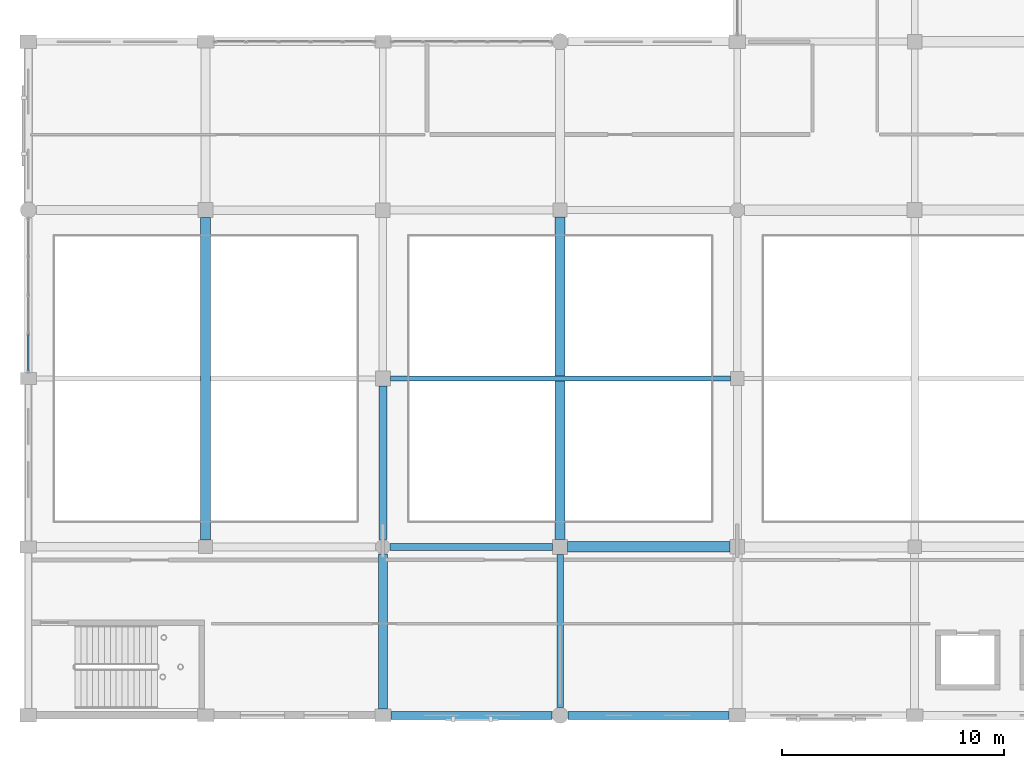
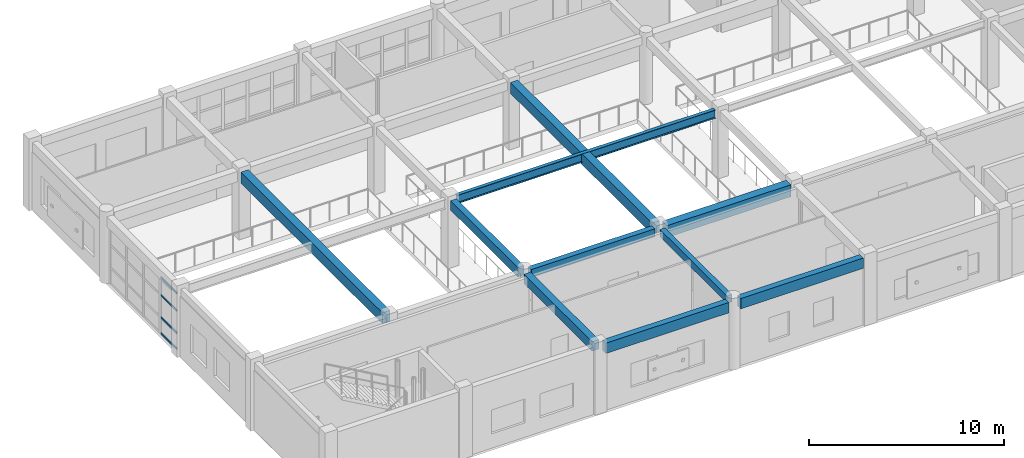
# One storey, part 39 of 160: 10 beams, 4 members, 1 element without a shape of its own.
"""IFC4 building model written with IfcOpenShell, lengths in metres."""

from ifc_helpers import new_model, si_unit, direction, frame, origin, origin_2d, place, context, subcontext, project, spatial, rectangle, hollow_rectangle, i_section, extrude, material, material_profile, profile_set, type_object, element, aggregate, save


model = new_model("IFC4")

# Units and contexts
model_context = context("Model", 3, precision=1e-05, world=origin(), true_north=direction((0.0, 1.0)))
body_context = subcontext(model_context, "Body", "Model", "MODEL_VIEW")
ifc_project = project(units=[si_unit("LENGTHUNIT", "METRE"), si_unit("AREAUNIT", "SQUARE_METRE"), si_unit("VOLUMEUNIT", "CUBIC_METRE"), si_unit("PLANEANGLEUNIT", "RADIAN"), si_unit("MASSUNIT", "GRAM", prefix="KILO")], contexts=[model_context])

# Site, building, storey
site_placement = place(None, origin())
site = spatial("IfcSite", under=ifc_project, at=site_placement, CompositionType="ELEMENT")
building_placement = place(site_placement, origin())
building = spatial("IfcBuilding", under=site, at=building_placement, Name="Kharva Crest Polytechnic", CompositionType="ELEMENT")
storey_placement = place(building_placement, frame((0.0, 0.0, 4.5)))
storey = spatial("IfcBuildingStorey", under=building, at=storey_placement, Name="L01", CompositionType="ELEMENT", Elevation=4.5)

# Beams
ifc_material_1 = material(Name="Concrete C35/45", Category="concrete")
ifc_material_profile_1 = material_profile(ifc_material_1, rectangle(XDim=0.300048828125, YDim=0.449951171875, at=origin_2d()), Name="RECT 300 X 450")
ifc_profile_set_1 = profile_set([ifc_material_profile_1], Name="Concrete C35/45")
beam_type_1 = type_object("IfcBeamType", Name="BM-RC-300X450", PredefinedType="BEAM", material=ifc_profile_set_1)
beam_1_placement = place(storey_placement, frame((24.0, 0.360107421875, 3.9951171875), z_axis=(0.0, 1.0, 0.0), x_axis=(-1.0, 0.0, 0.0)))
element("IfcBeam", 1, at=beam_1_placement, inside=storey, type_object=beam_type_1, Name="L01 Girder 4/A-B", PredefinedType="BEAM", context=body_context, shape_type="SweptSolid", body=[
    extrude(rectangle(XDim=0.300048828125, YDim=0.449951171875, at=origin_2d()), origin(), (0.0, 0.0, 1.0), 6.89990234375),
])
ifc_material_profile_2 = material_profile(ifc_material_1, rectangle(XDim=0.320068359375, YDim=0.5, at=origin_2d()), Name="RECT 320 X 500")
ifc_profile_set_2 = profile_set([ifc_material_profile_2], Name="Concrete C35/45")
beam_type_2 = type_object("IfcBeamType", Name="BM-RC-320X500", PredefinedType="BEAM", material=ifc_profile_set_2)
beam_2_placement = place(storey_placement, frame((16.330078125, 7.60009765625, 3.969970703125), z_axis=(1.0, 0.0, 0.0), x_axis=(0.0, 1.0, 0.0)))
element("IfcBeam", 2, at=beam_2_placement, inside=storey, type_object=beam_type_2, Name="L01 Beam B/3-4", PredefinedType="BEAM", context=body_context, shape_type="SweptSolid", body=[
    extrude(rectangle(XDim=0.320068359375, YDim=0.5, at=origin_2d()), origin(), (0.0, 0.0, 1.0), 7.329833984375),
])
ifc_material_profile_3 = material_profile(ifc_material_1, rectangle(XDim=0.360107421875, YDim=0.580078125, at=origin_2d()), Name="RECT 360 X 580")
ifc_profile_set_3 = profile_set([ifc_material_profile_3], Name="Concrete C35/45")
beam_type_3 = type_object("IfcBeamType", Name="BM-RC-360X580", PredefinedType="BEAM", material=ifc_profile_set_3)
beam_3_placement = place(storey_placement, frame((16.0, 7.929931640625, 3.929931640625), z_axis=(0.0, 1.0, 0.0), x_axis=(-1.0, 0.0, 0.0)))
element("IfcBeam", 3, at=beam_3_placement, inside=storey, type_object=beam_type_3, Name="L01 Girder 3/B-C", PredefinedType="BEAM", context=body_context, shape_type="SweptSolid", body=[
    extrude(rectangle(XDim=0.360107421875, YDim=0.580078125, at=origin_2d()), origin(), (0.0, 0.0, 1.0), 6.93017578125),
])
ifc_material_profile_4 = material_profile(ifc_material_1, rectangle(XDim=0.39990234375, YDim=0.580078125, at=origin_2d()), Name="RECT 400 X 580")
ifc_profile_set_4 = profile_set([ifc_material_profile_4], Name="Concrete C35/45")
beam_type_4 = type_object("IfcBeamType", Name="BM-RC-400X580", PredefinedType="BEAM", material=ifc_profile_set_4)
beam_4_placement = place(storey_placement, frame((16.0, 0.27490234375, 3.929931640625), z_axis=(0.0, 1.0, 0.0), x_axis=(-1.0, 0.0, 0.0)))
element("IfcBeam", 4, at=beam_4_placement, inside=storey, type_object=beam_type_4, Name="L01 Girder 3/A-B", PredefinedType="BEAM", context=body_context, shape_type="SweptSolid", body=[
    extrude(rectangle(XDim=0.39990234375, YDim=0.580078125, at=origin_2d()), origin(), (0.0, 0.0, 1.0), 6.9951171875),
])
ifc_material_profile_5 = material_profile(ifc_material_1, rectangle(XDim=0.449951171875, YDim=0.679931640625, at=origin_2d()), Name="RECT 450 X 680")
ifc_profile_set_5 = profile_set([ifc_material_profile_5], Name="Concrete C35/45")
beam_type_5 = type_object("IfcBeamType", Name="BM-RC-450X680", PredefinedType="BEAM", material=ifc_profile_set_5)
for number, where, z_axis, x_axis, name in (
    (5, (8.0, 7.909912109375, 3.8798828125), (0.0, 1.0, 0.0), (-1.0, 0.0, 0.0), "L01 Girder 2/B-D"),
    (6, (24.0, 7.93994140625, 3.8798828125), (0.0, 1.0, 0.0), (-1.0, 0.0, 0.0), "L01 Girder 4/B-D"),
):
    element("IfcBeam", number, at=place(storey_placement, frame(where, z_axis=z_axis, x_axis=x_axis)), inside=storey, type_object=beam_type_5, Name=name, PredefinedType="BEAM", context=body_context, shape_type="SweptSolid", body=[
        extrude(rectangle(XDim=0.449951171875, YDim=0.679931640625, at=origin_2d()), origin(), (0.0, 0.0, 1.0), 14.550048828125),
    ])
ifc_material_profile_6 = material_profile(ifc_material_1, rectangle(XDim=0.47998046875, YDim=0.75, at=origin_2d()), Name="RECT 480 X 750")
ifc_profile_set_6 = profile_set([ifc_material_profile_6], Name="Concrete C35/45")
beam_type_6 = type_object("IfcBeamType", Name="BM-RC-480X750", PredefinedType="BEAM", material=ifc_profile_set_6)
beam_5_placement = place(storey_placement, frame((24.340087890625, 7.60009765625, 3.844970703125), z_axis=(1.0, 0.0, 0.0), x_axis=(0.0, 1.0, 0.0)))
element("IfcBeam", 7, at=beam_5_placement, inside=storey, type_object=beam_type_6, Name="L01 Beam B/4-5", PredefinedType="BEAM", context=body_context, shape_type="SweptSolid", body=[
    extrude(rectangle(XDim=0.47998046875, YDim=0.75, at=origin_2d()), origin(), (0.0, 0.0, 1.0), 7.3349609375),
])
ifc_material_2 = material(Name="Steel S355", Category="steel")
ifc_material_profile_7 = material_profile(ifc_material_2, i_section(OverallWidth=0.208984375, OverallDepth=0.532958984375, WebThickness=0.01025390625, FlangeThickness=0.015625, at=origin_2d()), Name="W530X92")
ifc_profile_set_7 = profile_set([ifc_material_profile_7], Name="Steel S355")
beam_type_7 = type_object("IfcBeamType", Name="BM-STL-W530X92", PredefinedType="BEAM", material=ifc_profile_set_7)
beam_6_placement = place(storey_placement, frame((16.340087890625, 15.199951171875, 3.95361328125), z_axis=(1.0, 0.0, 0.0), x_axis=(0.0, 1.0, 0.0)))
element("IfcBeam", 8, at=beam_6_placement, inside=storey, type_object=beam_type_7, Name="L01 Beam C/3-5", PredefinedType="BEAM", context=body_context, shape_type="SweptSolid", body=[
    extrude(i_section(OverallWidth=0.208984375, OverallDepth=0.532958984375, WebThickness=0.01025390625, FlangeThickness=0.015625, at=origin_2d()), origin(), (0.0, 0.0, 1.0), 15.349853515625),
])

# Curtain wall, members
ifc_material_3 = material(Name="Tempered insulated glass", Category="glass")
curtain_wall_type = type_object("IfcCurtainWallType", Name="CW-SYS-COURT", PredefinedType="USERDEFINED", material=ifc_material_3)
curtain_wall_placement = place(storey_placement, origin())
curtain_wall = element("IfcCurtainWall", 9, at=curtain_wall_placement, inside=storey, type_object=curtain_wall_type, Name="L01 Glazed Curtain Wall CW-040", ObjectType="CURTAIN WALL", PredefinedType="USERDEFINED")
ifc_material_profile_8 = material_profile(ifc_material_2, hollow_rectangle(XDim=0.06005859375, YDim=0.1201171875, WallThickness=0.00390625, at=origin_2d()), Name="RHS 120X60X4.0")
ifc_profile_set_8 = profile_set([ifc_material_profile_8], Name="Steel S355")
member_type = type_object("IfcMemberType", Name="CWT-RHS120X60", PredefinedType="USERDEFINED", material=ifc_profile_set_8)
member_1_placement = place(storey_placement, frame((0.0, 17.1787109375, 0.06005859375), z_axis=(0.0, -1.0, 0.0), x_axis=(1.0, 0.0, 0.0)))
member_1 = element("IfcMember", 10, at=member_1_placement, type_object=member_type, Name="CW-040 transom 4.1", ObjectType="TRANSOM", PredefinedType="USERDEFINED", context=body_context, shape_type="SweptSolid", body=[
    extrude(hollow_rectangle(XDim=0.06005859375, YDim=0.1201171875, WallThickness=0.00390625, at=origin_2d()), origin(), (0.0, 0.0, 1.0), 1.61865234375),
])
member_2_placement = place(storey_placement, frame((0.0, 17.1787109375, 1.050048828125), z_axis=(0.0, -1.0, 0.0), x_axis=(1.0, 0.0, 0.0)))
member_2 = element("IfcMember", 11, at=member_2_placement, type_object=member_type, Name="CW-040 transom 4.2", ObjectType="TRANSOM", PredefinedType="USERDEFINED", context=body_context, shape_type="SweptSolid", body=[
    extrude(hollow_rectangle(XDim=0.06005859375, YDim=0.1201171875, WallThickness=0.00390625, at=origin_2d()), origin(), (0.0, 0.0, 1.0), 1.61865234375),
])
member_3_placement = place(storey_placement, frame((0.0, 17.1787109375, 2.449951171875), z_axis=(0.0, -1.0, 0.0), x_axis=(1.0, 0.0, 0.0)))
member_3 = element("IfcMember", 12, at=member_3_placement, type_object=member_type, Name="CW-040 transom 4.3", ObjectType="TRANSOM", PredefinedType="USERDEFINED", context=body_context, shape_type="SweptSolid", body=[
    extrude(hollow_rectangle(XDim=0.06005859375, YDim=0.1201171875, WallThickness=0.00390625, at=origin_2d()), origin(), (0.0, 0.0, 1.0), 1.61865234375),
])
member_4_placement = place(storey_placement, frame((0.0, 17.1787109375, 3.5400390625), z_axis=(0.0, -1.0, 0.0), x_axis=(1.0, 0.0, 0.0)))
member_4 = element("IfcMember", 13, at=member_4_placement, type_object=member_type, Name="CW-040 transom 4.4", ObjectType="TRANSOM", PredefinedType="USERDEFINED", context=body_context, shape_type="SweptSolid", body=[
    extrude(hollow_rectangle(XDim=0.06005859375, YDim=0.1201171875, WallThickness=0.00390625, at=origin_2d()), origin(), (0.0, 0.0, 1.0), 1.61865234375),
])
aggregate(curtain_wall, [member_1, member_2, member_3, member_4])

# Beams
ifc_material_profile_9 = material_profile(ifc_material_1, rectangle(XDim=0.360107421875, YDim=0.64990234375, at=origin_2d()), Name="RECT 360 X 650")
ifc_profile_set_9 = profile_set([ifc_material_profile_9], Name="Concrete C35/45")
beam_type_8 = type_object("IfcBeamType", Name="SP-RC-360X650", PredefinedType="SPANDREL", material=ifc_profile_set_9)
beam_7_placement = place(storey_placement, frame((16.360107421875, 0.0, 3.89501953125), z_axis=(1.0, 0.0, 0.0), x_axis=(0.0, 1.0, 0.0)))
element("IfcBeam", 14, at=beam_7_placement, inside=storey, type_object=beam_type_8, Name="L01 Beam A/3-4", PredefinedType="SPANDREL", context=body_context, shape_type="SweptSolid", body=[
    extrude(rectangle(XDim=0.360107421875, YDim=0.64990234375, at=origin_2d()), origin(), (0.0, 0.0, 1.0), 7.27978515625),
])
beam_8_placement = place(storey_placement, frame((24.360107421875, 0.0, 3.89501953125), z_axis=(1.0, 0.0, 0.0), x_axis=(0.0, 1.0, 0.0)))
element("IfcBeam", 15, at=beam_8_placement, inside=storey, type_object=beam_type_8, Name="L01 Beam A/4-5", PredefinedType="SPANDREL", context=body_context, shape_type="SweptSolid", body=[
    extrude(rectangle(XDim=0.360107421875, YDim=0.64990234375, at=origin_2d()), origin(), (0.0, 0.0, 1.0), 7.264892578125),
])

save(model, "model.ifc")
